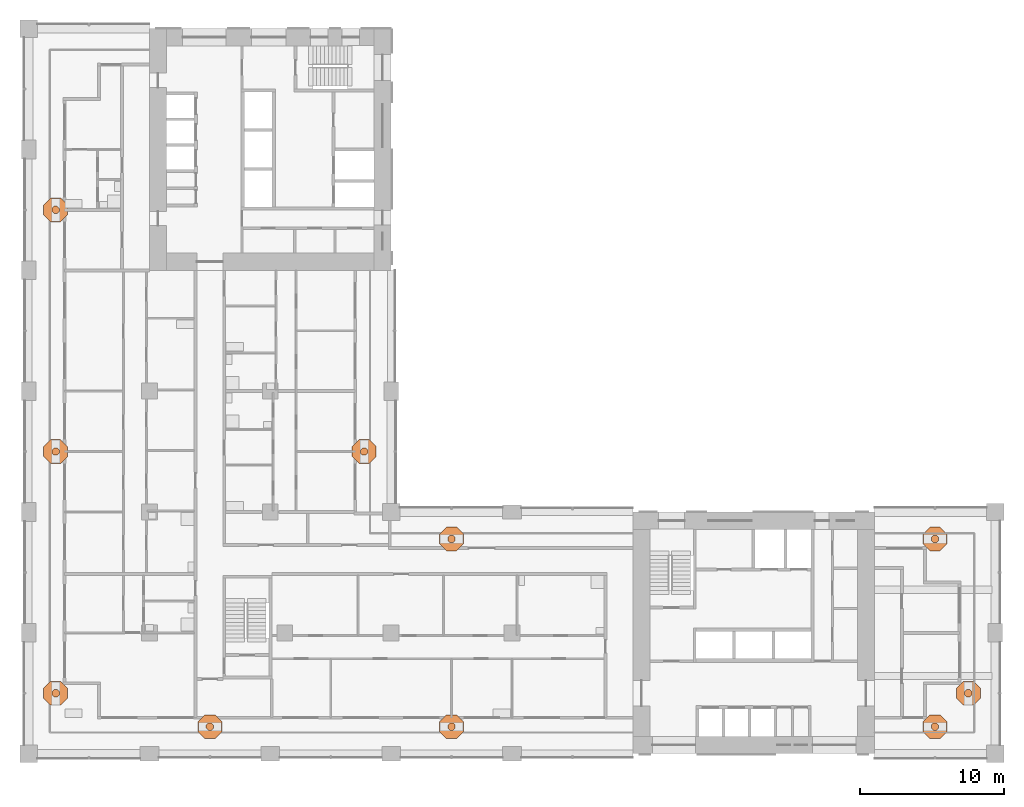
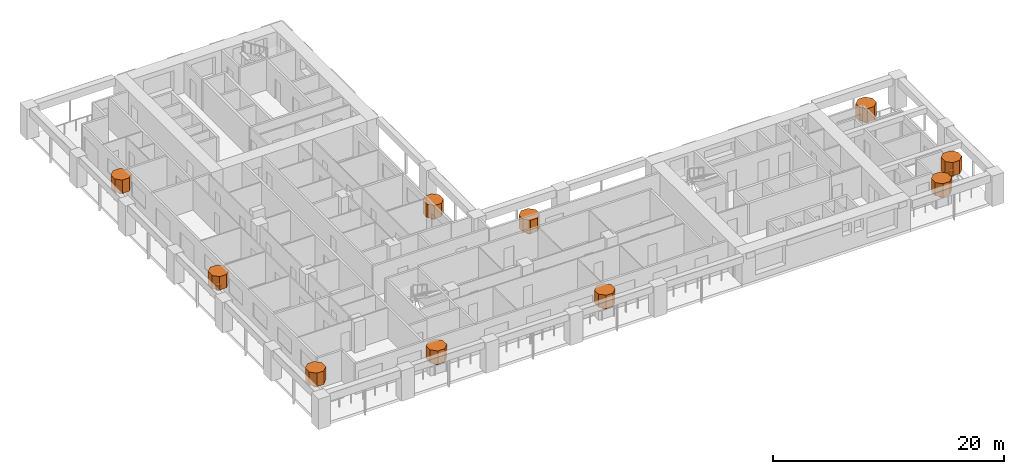
# One storey, part 18 of 18: 20 geographic elements.
"""IFC4 building model written with IfcOpenShell, lengths in metres."""

import ifcopenshell
import ifcopenshell.guid

model = None  # the IFC model being written
_history = None  # IfcOwnerHistory: only IFC2X3 demands one
_inside = {}  # id of a spatial element -> (the spatial element, [elements in it])
_under = {}  # id of a project, library or spatial element -> (it, [spatial elements below it])
_declared = {}  # id of a project -> (the project, [libraries it declares])
_typed = {}  # id of a type object -> (the type object, [elements of that type])
_made_of = {}  # id of a material, layer set ... -> (it, [elements and type objects made of it])


def new_model(schema):
    """Start an empty IFC model of exactly this schema.

    Asked for "IFC4X3", IfcOpenShell would pick the latest addendum, in which some entities
    have other attributes; the version numbers below select the first issue.
    IFC2X3 requires an IfcOwnerHistory on every rooted entity: one is made here for all.
    """
    global model, _history
    if schema == "IFC4X3":
        model = ifcopenshell.file(schema_version=(4, 3, 0, 0))
    else:
        model = ifcopenshell.file(schema=schema)
    _inside.clear()
    _under.clear()
    _declared.clear()
    _typed.clear()
    _made_of.clear()
    _history = None
    if model.schema == "IFC2X3":
        org = make("IfcOrganization", Name="unknown")
        user = make(
            "IfcPersonAndOrganization",
            ThePerson=make("IfcPerson", FamilyName="unknown"),
            TheOrganization=org,
        )
        app = make(
            "IfcApplication",
            ApplicationDeveloper=org,
            Version="unknown",
            ApplicationFullName="unknown",
            ApplicationIdentifier="unknown",
        )
        _history = make(
            "IfcOwnerHistory",
            OwningUser=user,
            OwningApplication=app,
            ChangeAction="ADDED",
            CreationDate=0,
        )
    return model


def make(cls, **values):
    """One entity of the class cls with the attributes given. An attribute that is None is left unset."""
    return model.create_entity(
        cls, **{name: value for name, value in values.items() if value is not None}
    )


def rooted(cls, **values):
    """An entity with a GlobalId (a new one), such as an element, a storey or a relation."""
    return make(cls, GlobalId=ifcopenshell.guid.new(), OwnerHistory=_history, **values)


def si_unit(unit_type, name, prefix=None):
    """IfcSIUnit, for example si_unit("LENGTHUNIT", "METRE", prefix="MILLI")."""
    return make("IfcSIUnit", UnitType=unit_type, Prefix=prefix, Name=name)


def assignment(units):
    """IfcUnitAssignment: the units of a project."""
    return None if units is None else make("IfcUnitAssignment", Units=units)


def point(xyz):
    """IfcCartesianPoint."""
    return None if xyz is None else make("IfcCartesianPoint", Coordinates=xyz)


def direction(xyz):
    """IfcDirection."""
    return None if xyz is None else make("IfcDirection", DirectionRatios=xyz)


def frame(location, z_axis=None, x_axis=None):
    """IfcAxis2Placement3D, a coordinate frame: its origin and axes. An axis left out is left unset."""
    return make(
        "IfcAxis2Placement3D",
        Location=point(location),
        Axis=direction(z_axis),
        RefDirection=direction(x_axis),
    )


def origin():
    """The frame at (0, 0, 0) with its axes left unset."""
    return frame((0.0, 0.0, 0.0))


def place(relative_to, where):
    """IfcLocalPlacement: puts the frame where relative to a parent placement (None: the world)."""
    return make(
        "IfcLocalPlacement", PlacementRelTo=relative_to, RelativePlacement=where
    )


def context(
    kind, dimensions, precision=None, world=None, true_north=None, identifier=None
):
    """IfcGeometricRepresentationContext, for example the 3D "Model" context."""
    return make(
        "IfcGeometricRepresentationContext",
        ContextIdentifier=identifier,
        ContextType=kind,
        CoordinateSpaceDimension=dimensions,
        Precision=precision,
        WorldCoordinateSystem=world,
        TrueNorth=true_north,
    )


def subcontext(parent, identifier, kind, view, scale=None):
    """IfcGeometricRepresentationSubContext, for example "Body" below "Model"."""
    return make(
        "IfcGeometricRepresentationSubContext",
        ContextIdentifier=identifier,
        ContextType=kind,
        ParentContext=parent,
        TargetScale=scale,
        TargetView=view,
    )


def project(units=None, contexts=None):
    """IfcProject with its units and contexts."""
    return rooted(
        "IfcProject",
        Name="project",
        RepresentationContexts=contexts,
        UnitsInContext=assignment(units),
    )


def spatial(cls, under=None, at=None, **own):
    """A site, building, storey or space (cls), placed at a placement, below another one or the project."""
    s = rooted(cls, ObjectPlacement=at, **own)
    if under is not None:
        _under.setdefault(under.id(), (under, []))[1].append(s)
    return s


def polyline(points):
    """IfcPolyline through the points."""
    return make("IfcPolyline", Points=[point(p) for p in points])


def outline(outer, holes=None, kind="AREA"):
    """IfcArbitraryClosedProfileDef: a profile drawn as a closed curve; with holes, ...WithVoids."""
    if holes is None:
        return make("IfcArbitraryClosedProfileDef", ProfileType=kind, OuterCurve=outer)
    return make(
        "IfcArbitraryProfileDefWithVoids",
        ProfileType=kind,
        OuterCurve=outer,
        InnerCurves=holes,
    )


def extrude(swept, where, along, depth):
    """IfcExtrudedAreaSolid: the profile swept, set in the frame where, extruded along a direction by depth."""
    return make(
        "IfcExtrudedAreaSolid",
        SweptArea=swept,
        Position=where,
        ExtrudedDirection=direction(along),
        Depth=depth,
    )


def shape(context_of_items, identifier, shape_type, items):
    """IfcShapeRepresentation: the items that make up one representation, for example the "Body"."""
    return make(
        "IfcShapeRepresentation",
        ContextOfItems=context_of_items,
        RepresentationIdentifier=identifier,
        RepresentationType=shape_type,
        Items=items,
    )


def material(Name=None, Category=None):
    """IfcMaterial."""
    return make("IfcMaterial", Name=Name, Category=Category)


def made_of(thing, what):
    """Note that an element or type object is made of a material, layer set ...; save() writes the relation."""
    if what is not None:
        _made_of.setdefault(what.id(), (what, []))[1].append(thing)
    return thing


def element(
    cls,
    number,
    at=None,
    inside=None,
    cuts=None,
    type_object=None,
    material=None,
    context=None,
    identifier="Body",
    shape_type=None,
    held_by="IfcProductDefinitionShape",
    body=None,
    shapes=None,
    **own,
):
    """One element of the class cls, such as IfcWall. Its Tag is "e" and its number.

    at: its placement. inside: the storey or other place that contains it. cuts: it is an
    opening in that element (IfcRelVoidsElement). A single representation is given by context,
    identifier, shape_type and body (its items); several are given by shapes. held_by: the class
    of the entity that holds the representations. save() writes the other relations.
    """
    e = rooted(cls, Tag="e%d" % number, ObjectPlacement=at, **own)
    if body is not None:
        shapes = [shape(context, identifier, shape_type, body)]
    if shapes is not None:
        e.Representation = make(held_by, Representations=shapes)
    if inside is not None:
        _inside.setdefault(inside.id(), (inside, []))[1].append(e)
    if cuts is not None:
        rooted(
            "IfcRelVoidsElement", RelatingBuildingElement=cuts, RelatedOpeningElement=e
        )
    if type_object is not None:
        _typed.setdefault(type_object.id(), (type_object, []))[1].append(e)
    return made_of(e, material)


def aggregate(whole, parts):
    """IfcRelAggregates: a whole, such as a stair, and the parts it consists of."""
    return rooted("IfcRelAggregates", RelatingObject=whole, RelatedObjects=parts)


def save(model, path):
    """Write the relations noted so far, then the file.

    IfcRelAggregates (storeys below a building ...), IfcRelContainedInSpatialStructure (elements
    in a storey), IfcRelDefinesByType, IfcRelAssociatesMaterial and IfcRelDeclares: one each for
    every whole, place, type object, material and project.
    """
    for whole, parts in _under.values():
        aggregate(whole, parts)
    for where, things in _inside.values():
        rooted(
            "IfcRelContainedInSpatialStructure",
            RelatedElements=things,
            RelatingStructure=where,
        )
    for kind, things in _typed.values():
        rooted("IfcRelDefinesByType", RelatedObjects=things, RelatingType=kind)
    for what, things in _made_of.values():
        rooted("IfcRelAssociatesMaterial", RelatedObjects=things, RelatingMaterial=what)
    for by, libraries in _declared.values():
        rooted("IfcRelDeclares", RelatingContext=by, RelatedDefinitions=libraries)
    model.write(path)


model = new_model("IFC4")

# Units and contexts
model_context = context("Model", 3, precision=1e-05, world=origin(), true_north=direction((0.0, 1.0)))
body_context = subcontext(model_context, "Body", "Model", "MODEL_VIEW")
ifc_project = project(units=[si_unit("LENGTHUNIT", "METRE"), si_unit("AREAUNIT", "SQUARE_METRE"), si_unit("VOLUMEUNIT", "CUBIC_METRE"), si_unit("PLANEANGLEUNIT", "RADIAN"), si_unit("MASSUNIT", "GRAM", prefix="KILO")], contexts=[model_context])

# Site, building, storey
site_placement = place(None, origin())
site = spatial("IfcSite", under=ifc_project, at=site_placement, CompositionType="ELEMENT")
building_placement = place(site_placement, origin())
building = spatial("IfcBuilding", under=site, at=building_placement, Name="Vermilion Gate Residences", CompositionType="ELEMENT")
storey_placement = place(building_placement, frame((0.0, 0.0, 81.199951171875)))
storey = spatial("IfcBuildingStorey", under=building, at=storey_placement, Name="L19", CompositionType="ELEMENT", Elevation=81.199951171875)

# Geographic elements
ifc_material = material(Name="Foliage")
geographic_element_1_placement = place(storey_placement, frame((0.0, 0.0, 0.900146484375)))
element("IfcGeographicElement", 1, at=geographic_element_1_placement, inside=storey, material=ifc_material, Name="Tree (maple)", ObjectType="TREE", PredefinedType="USERDEFINED", context=body_context, shape_type="SweptSolid", body=[
    extrude(outline(polyline([(12.85400390625, 10.380126953125), (12.705078125, 10.529052734375), (12.494873046875, 10.529052734375), (12.345947265625, 10.380126953125), (12.345947265625, 10.169921875), (12.494873046875, 10.02099609375), (12.705078125, 10.02099609375), (12.85400390625, 10.169921875), (12.85400390625, 10.380126953125)])), origin(), (0.0, 0.0, 1.0), 0.52001953125),
])
geographic_element_2_placement = place(storey_placement, frame((0.0, 0.0, 1.420166015625)))
element("IfcGeographicElement", 2, at=geographic_element_2_placement, inside=storey, material=ifc_material, Name="Tree crown (maple)", ObjectType="TREE", PredefinedType="USERDEFINED", context=body_context, shape_type="SweptSolid", body=[
    extrude(outline(polyline([(13.431396484375, 10.619384765625), (12.9443359375, 11.1064453125), (12.255615234375, 11.1064453125), (11.7685546875, 10.619384765625), (11.7685546875, 9.9306640625), (12.255615234375, 9.443603515625), (12.9443359375, 9.443603515625), (13.431396484375, 9.9306640625), (13.431396484375, 10.619384765625)])), origin(), (0.0, 0.0, 1.0), 1.39990234375),
])
geographic_element_3_placement = place(storey_placement, frame((0.0, 0.0, 0.900146484375)))
element("IfcGeographicElement", 3, at=geographic_element_3_placement, inside=storey, material=ifc_material, Name="Tree (black pine)", ObjectType="TREE", PredefinedType="USERDEFINED", context=body_context, shape_type="SweptSolid", body=[
    extrude(outline(polyline([(29.654052734375, 10.380126953125), (29.505126953125, 10.529052734375), (29.294921875, 10.529052734375), (29.14599609375, 10.380126953125), (29.14599609375, 10.169921875), (29.294921875, 10.02099609375), (29.505126953125, 10.02099609375), (29.654052734375, 10.169921875), (29.654052734375, 10.380126953125)])), origin(), (0.0, 0.0, 1.0), 0.52001953125),
])
geographic_element_4_placement = place(storey_placement, frame((0.0, 0.0, 1.420166015625)))
element("IfcGeographicElement", 4, at=geographic_element_4_placement, inside=storey, material=ifc_material, Name="Tree crown (black pine)", ObjectType="TREE", PredefinedType="USERDEFINED", context=body_context, shape_type="SweptSolid", body=[
    extrude(outline(polyline([(30.2314453125, 10.619384765625), (29.744384765625, 11.1064453125), (29.0556640625, 11.1064453125), (28.568603515625, 10.619384765625), (28.568603515625, 9.9306640625), (29.0556640625, 9.443603515625), (29.744384765625, 9.443603515625), (30.2314453125, 9.9306640625), (30.2314453125, 10.619384765625)])), origin(), (0.0, 0.0, 1.0), 1.39990234375),
])
geographic_element_5_placement = place(storey_placement, frame((0.0, 0.0, 0.900146484375)))
element("IfcGeographicElement", 5, at=geographic_element_5_placement, inside=storey, material=ifc_material, Name="Tree (black pine)", ObjectType="TREE", PredefinedType="USERDEFINED", context=body_context, shape_type="SweptSolid", body=[
    extrude(outline(polyline([(63.254150390625, 10.380126953125), (63.105224609375, 10.529052734375), (62.894775390625, 10.529052734375), (62.745849609375, 10.380126953125), (62.745849609375, 10.169921875), (62.894775390625, 10.02099609375), (63.105224609375, 10.02099609375), (63.254150390625, 10.169921875), (63.254150390625, 10.380126953125)])), origin(), (0.0, 0.0, 1.0), 0.52001953125),
])
geographic_element_6_placement = place(storey_placement, frame((0.0, 0.0, 1.420166015625)))
element("IfcGeographicElement", 6, at=geographic_element_6_placement, inside=storey, material=ifc_material, Name="Tree crown (black pine)", ObjectType="TREE", PredefinedType="USERDEFINED", context=body_context, shape_type="SweptSolid", body=[
    extrude(outline(polyline([(63.83154296875, 10.619384765625), (63.344482421875, 11.1064453125), (62.655517578125, 11.1064453125), (62.16845703125, 10.619384765625), (62.16845703125, 9.9306640625), (62.655517578125, 9.443603515625), (63.344482421875, 9.443603515625), (63.83154296875, 9.9306640625), (63.83154296875, 10.619384765625)])), origin(), (0.0, 0.0, 1.0), 1.39990234375),
])
geographic_element_7_placement = place(storey_placement, frame((0.0, 0.0, 0.900146484375)))
element("IfcGeographicElement", 7, at=geographic_element_7_placement, inside=storey, material=ifc_material, Name="Tree (maple)", ObjectType="TREE", PredefinedType="USERDEFINED", context=body_context, shape_type="SweptSolid", body=[
    extrude(outline(polyline([(65.5791015625, 12.705078125), (65.43017578125, 12.85400390625), (65.2197265625, 12.85400390625), (65.07080078125, 12.705078125), (65.07080078125, 12.494873046875), (65.2197265625, 12.345947265625), (65.43017578125, 12.345947265625), (65.5791015625, 12.494873046875), (65.5791015625, 12.705078125)])), origin(), (0.0, 0.0, 1.0), 0.52001953125),
])
geographic_element_8_placement = place(storey_placement, frame((0.0, 0.0, 1.420166015625)))
element("IfcGeographicElement", 8, at=geographic_element_8_placement, inside=storey, material=ifc_material, Name="Tree crown (maple)", ObjectType="TREE", PredefinedType="USERDEFINED", context=body_context, shape_type="SweptSolid", body=[
    extrude(outline(polyline([(66.156494140625, 12.9443359375), (65.66943359375, 13.431396484375), (64.980712890625, 13.431396484375), (64.493408203125, 12.9443359375), (64.493408203125, 12.255615234375), (64.980712890625, 11.7685546875), (65.66943359375, 11.7685546875), (66.156494140625, 12.255615234375), (66.156494140625, 12.9443359375)])), origin(), (0.0, 0.0, 1.0), 1.39990234375),
])
geographic_element_9_placement = place(storey_placement, frame((0.0, 0.0, 0.900146484375)))
element("IfcGeographicElement", 9, at=geographic_element_9_placement, inside=storey, material=ifc_material, Name="Tree (black pine)", ObjectType="TREE", PredefinedType="USERDEFINED", context=body_context, shape_type="SweptSolid", body=[
    extrude(outline(polyline([(29.654052734375, 23.43017578125), (29.505126953125, 23.5791015625), (29.294921875, 23.5791015625), (29.14599609375, 23.43017578125), (29.14599609375, 23.2197265625), (29.294921875, 23.07080078125), (29.505126953125, 23.07080078125), (29.654052734375, 23.2197265625), (29.654052734375, 23.43017578125)])), origin(), (0.0, 0.0, 1.0), 0.52001953125),
])
geographic_element_10_placement = place(storey_placement, frame((0.0, 0.0, 1.420166015625)))
element("IfcGeographicElement", 10, at=geographic_element_10_placement, inside=storey, material=ifc_material, Name="Tree crown (black pine)", ObjectType="TREE", PredefinedType="USERDEFINED", context=body_context, shape_type="SweptSolid", body=[
    extrude(outline(polyline([(30.2314453125, 23.66943359375), (29.744384765625, 24.156494140625), (29.0556640625, 24.156494140625), (28.568603515625, 23.66943359375), (28.568603515625, 22.980712890625), (29.0556640625, 22.493408203125), (29.744384765625, 22.493408203125), (30.2314453125, 22.980712890625), (30.2314453125, 23.66943359375)])), origin(), (0.0, 0.0, 1.0), 1.39990234375),
])
geographic_element_11_placement = place(storey_placement, frame((0.0, 0.0, 0.900146484375)))
element("IfcGeographicElement", 11, at=geographic_element_11_placement, inside=storey, material=ifc_material, Name="Tree (black pine)", ObjectType="TREE", PredefinedType="USERDEFINED", context=body_context, shape_type="SweptSolid", body=[
    extrude(outline(polyline([(63.254150390625, 23.43017578125), (63.105224609375, 23.5791015625), (62.894775390625, 23.5791015625), (62.745849609375, 23.43017578125), (62.745849609375, 23.2197265625), (62.894775390625, 23.07080078125), (63.105224609375, 23.07080078125), (63.254150390625, 23.2197265625), (63.254150390625, 23.43017578125)])), origin(), (0.0, 0.0, 1.0), 0.52001953125),
])
geographic_element_12_placement = place(storey_placement, frame((0.0, 0.0, 1.420166015625)))
element("IfcGeographicElement", 12, at=geographic_element_12_placement, inside=storey, material=ifc_material, Name="Tree crown (black pine)", ObjectType="TREE", PredefinedType="USERDEFINED", context=body_context, shape_type="SweptSolid", body=[
    extrude(outline(polyline([(63.83154296875, 23.66943359375), (63.344482421875, 24.156494140625), (62.655517578125, 24.156494140625), (62.16845703125, 23.66943359375), (62.16845703125, 22.980712890625), (62.655517578125, 22.493408203125), (63.344482421875, 22.493408203125), (63.83154296875, 22.980712890625), (63.83154296875, 23.66943359375)])), origin(), (0.0, 0.0, 1.0), 1.39990234375),
])
geographic_element_13_placement = place(storey_placement, frame((0.0, 0.0, 0.900146484375)))
element("IfcGeographicElement", 13, at=geographic_element_13_placement, inside=storey, material=ifc_material, Name="Tree (black pine)", ObjectType="TREE", PredefinedType="USERDEFINED", context=body_context, shape_type="SweptSolid", body=[
    extrude(outline(polyline([(23.5791015625, 29.505126953125), (23.43017578125, 29.654052734375), (23.2197265625, 29.654052734375), (23.07080078125, 29.505126953125), (23.07080078125, 29.294921875), (23.2197265625, 29.14599609375), (23.43017578125, 29.14599609375), (23.5791015625, 29.294921875), (23.5791015625, 29.505126953125)])), origin(), (0.0, 0.0, 1.0), 0.52001953125),
])
geographic_element_14_placement = place(storey_placement, frame((0.0, 0.0, 1.420166015625)))
element("IfcGeographicElement", 14, at=geographic_element_14_placement, inside=storey, material=ifc_material, Name="Tree crown (black pine)", ObjectType="TREE", PredefinedType="USERDEFINED", context=body_context, shape_type="SweptSolid", body=[
    extrude(outline(polyline([(24.156494140625, 29.744384765625), (23.66943359375, 30.2314453125), (22.980712890625, 30.2314453125), (22.493408203125, 29.744384765625), (22.493408203125, 29.0556640625), (22.980712890625, 28.568603515625), (23.66943359375, 28.568603515625), (24.156494140625, 29.0556640625), (24.156494140625, 29.744384765625)])), origin(), (0.0, 0.0, 1.0), 1.39990234375),
])
geographic_element_15_placement = place(storey_placement, frame((0.0, 0.0, 0.900146484375)))
element("IfcGeographicElement", 15, at=geographic_element_15_placement, inside=storey, material=ifc_material, Name="Tree (maple)", ObjectType="TREE", PredefinedType="USERDEFINED", context=body_context, shape_type="SweptSolid", body=[
    extrude(outline(polyline([(2.129150390625, 12.705078125), (1.980224609375, 12.85400390625), (1.769775390625, 12.85400390625), (1.620849609375, 12.705078125), (1.620849609375, 12.494873046875), (1.769775390625, 12.345947265625), (1.980224609375, 12.345947265625), (2.129150390625, 12.494873046875), (2.129150390625, 12.705078125)])), origin(), (0.0, 0.0, 1.0), 0.52001953125),
])
geographic_element_16_placement = place(storey_placement, frame((0.0, 0.0, 1.420166015625)))
element("IfcGeographicElement", 16, at=geographic_element_16_placement, inside=storey, material=ifc_material, Name="Tree crown (maple)", ObjectType="TREE", PredefinedType="USERDEFINED", context=body_context, shape_type="SweptSolid", body=[
    extrude(outline(polyline([(2.70654296875, 12.9443359375), (2.219482421875, 13.431396484375), (1.530517578125, 13.431396484375), (1.04345703125, 12.9443359375), (1.04345703125, 12.255615234375), (1.530517578125, 11.7685546875), (2.219482421875, 11.7685546875), (2.70654296875, 12.255615234375), (2.70654296875, 12.9443359375)])), origin(), (0.0, 0.0, 1.0), 1.39990234375),
])
geographic_element_17_placement = place(storey_placement, frame((0.0, 0.0, 0.900146484375)))
element("IfcGeographicElement", 17, at=geographic_element_17_placement, inside=storey, material=ifc_material, Name="Tree (black pine)", ObjectType="TREE", PredefinedType="USERDEFINED", context=body_context, shape_type="SweptSolid", body=[
    extrude(outline(polyline([(2.129150390625, 29.505126953125), (1.980224609375, 29.654052734375), (1.769775390625, 29.654052734375), (1.620849609375, 29.505126953125), (1.620849609375, 29.294921875), (1.769775390625, 29.14599609375), (1.980224609375, 29.14599609375), (2.129150390625, 29.294921875), (2.129150390625, 29.505126953125)])), origin(), (0.0, 0.0, 1.0), 0.52001953125),
])
geographic_element_18_placement = place(storey_placement, frame((0.0, 0.0, 1.420166015625)))
element("IfcGeographicElement", 18, at=geographic_element_18_placement, inside=storey, material=ifc_material, Name="Tree crown (black pine)", ObjectType="TREE", PredefinedType="USERDEFINED", context=body_context, shape_type="SweptSolid", body=[
    extrude(outline(polyline([(2.70654296875, 29.744384765625), (2.219482421875, 30.2314453125), (1.530517578125, 30.2314453125), (1.04345703125, 29.744384765625), (1.04345703125, 29.0556640625), (1.530517578125, 28.568603515625), (2.219482421875, 28.568603515625), (2.70654296875, 29.0556640625), (2.70654296875, 29.744384765625)])), origin(), (0.0, 0.0, 1.0), 1.39990234375),
])
geographic_element_19_placement = place(storey_placement, frame((0.0, 0.0, 0.900146484375)))
element("IfcGeographicElement", 19, at=geographic_element_19_placement, inside=storey, material=ifc_material, Name="Tree (maple)", ObjectType="TREE", PredefinedType="USERDEFINED", context=body_context, shape_type="SweptSolid", body=[
    extrude(outline(polyline([(2.129150390625, 46.30517578125), (1.980224609375, 46.4541015625), (1.769775390625, 46.4541015625), (1.620849609375, 46.30517578125), (1.620849609375, 46.0947265625), (1.769775390625, 45.94580078125), (1.980224609375, 45.94580078125), (2.129150390625, 46.0947265625), (2.129150390625, 46.30517578125)])), origin(), (0.0, 0.0, 1.0), 0.52001953125),
])
geographic_element_20_placement = place(storey_placement, frame((0.0, 0.0, 1.420166015625)))
element("IfcGeographicElement", 20, at=geographic_element_20_placement, inside=storey, material=ifc_material, Name="Tree crown (maple)", ObjectType="TREE", PredefinedType="USERDEFINED", context=body_context, shape_type="SweptSolid", body=[
    extrude(outline(polyline([(2.70654296875, 46.54443359375), (2.219482421875, 47.031494140625), (1.530517578125, 47.031494140625), (1.04345703125, 46.54443359375), (1.04345703125, 45.855712890625), (1.530517578125, 45.368408203125), (2.219482421875, 45.368408203125), (2.70654296875, 45.855712890625), (2.70654296875, 46.54443359375)])), origin(), (0.0, 0.0, 1.0), 1.39990234375),
])

save(model, "model.ifc")
